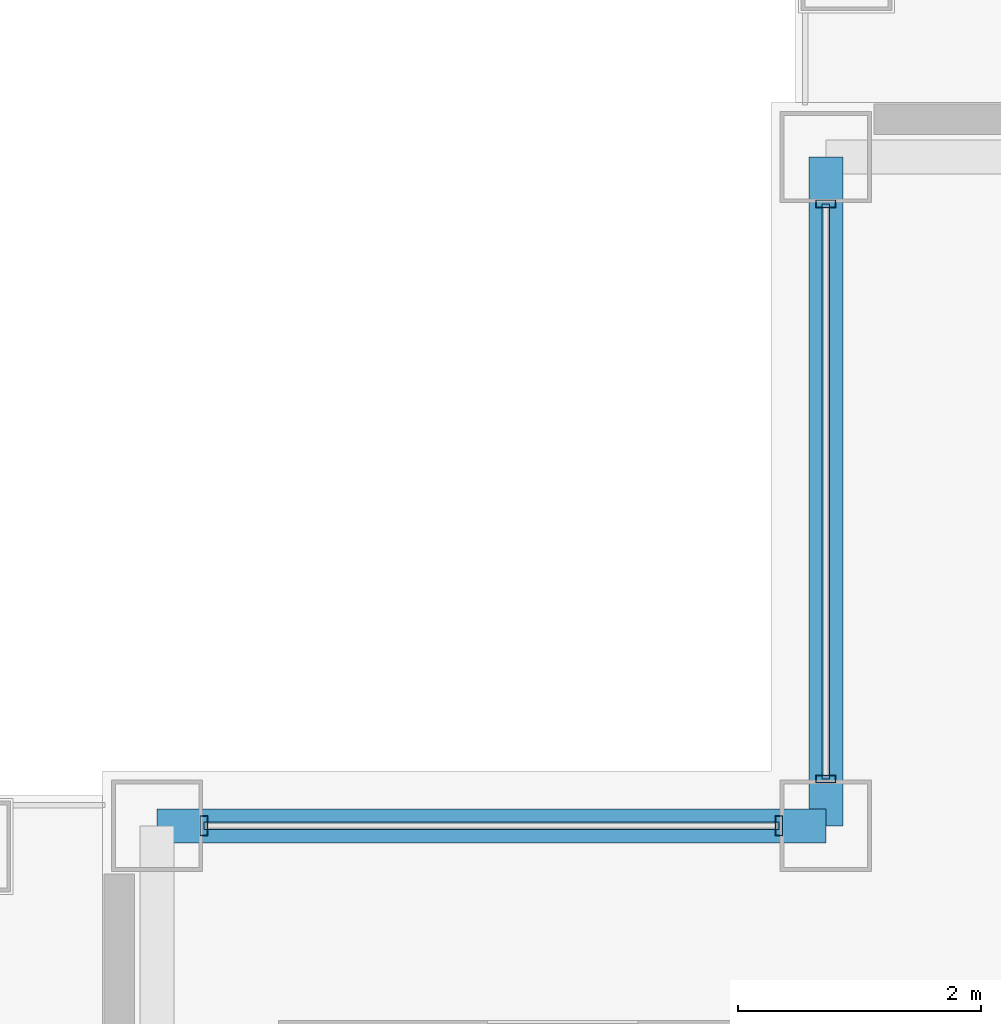
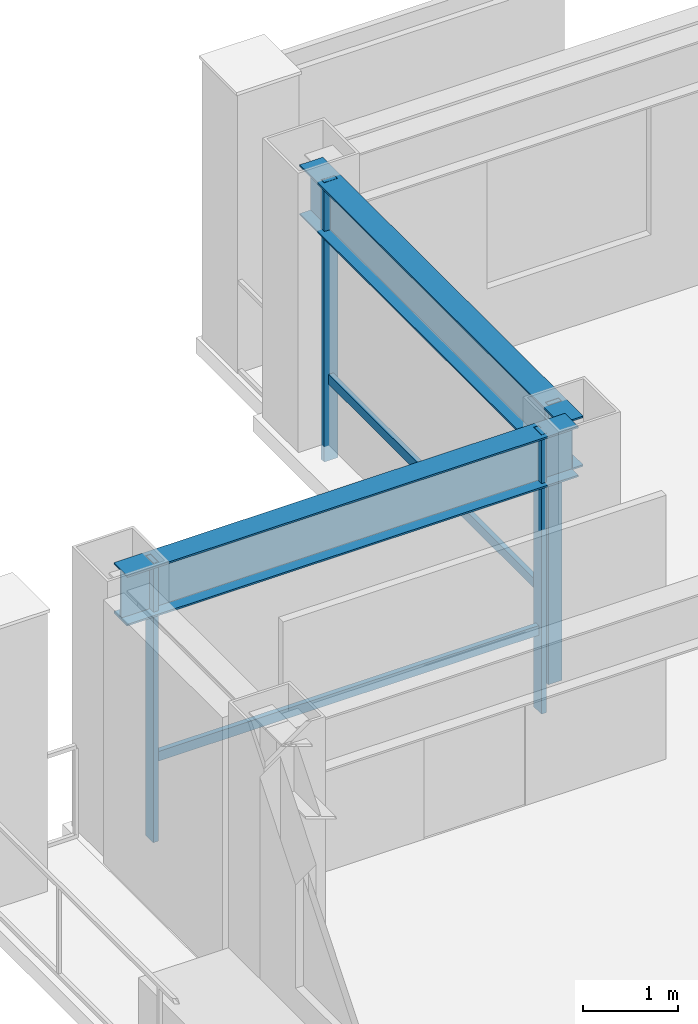
# One storey, part 18 of 28: 6 members, 2 beams, 2 elements without a shape of their own.
"""IFC4 building model written with IfcOpenShell, lengths in metres."""

import ifcopenshell
import ifcopenshell.guid

model = None  # the IFC model being written
_history = None  # IfcOwnerHistory: only IFC2X3 demands one
_inside = {}  # id of a spatial element -> (the spatial element, [elements in it])
_under = {}  # id of a project, library or spatial element -> (it, [spatial elements below it])
_declared = {}  # id of a project -> (the project, [libraries it declares])
_typed = {}  # id of a type object -> (the type object, [elements of that type])
_made_of = {}  # id of a material, layer set ... -> (it, [elements and type objects made of it])


def new_model(schema):
    """Start an empty IFC model of exactly this schema.

    Asked for "IFC4X3", IfcOpenShell would pick the latest addendum, in which some entities
    have other attributes; the version numbers below select the first issue.
    IFC2X3 requires an IfcOwnerHistory on every rooted entity: one is made here for all.
    """
    global model, _history
    if schema == "IFC4X3":
        model = ifcopenshell.file(schema_version=(4, 3, 0, 0))
    else:
        model = ifcopenshell.file(schema=schema)
    _inside.clear()
    _under.clear()
    _declared.clear()
    _typed.clear()
    _made_of.clear()
    _history = None
    if model.schema == "IFC2X3":
        org = make("IfcOrganization", Name="unknown")
        user = make(
            "IfcPersonAndOrganization",
            ThePerson=make("IfcPerson", FamilyName="unknown"),
            TheOrganization=org,
        )
        app = make(
            "IfcApplication",
            ApplicationDeveloper=org,
            Version="unknown",
            ApplicationFullName="unknown",
            ApplicationIdentifier="unknown",
        )
        _history = make(
            "IfcOwnerHistory",
            OwningUser=user,
            OwningApplication=app,
            ChangeAction="ADDED",
            CreationDate=0,
        )
    return model


def make(cls, **values):
    """One entity of the class cls with the attributes given. An attribute that is None is left unset."""
    return model.create_entity(
        cls, **{name: value for name, value in values.items() if value is not None}
    )


def rooted(cls, **values):
    """An entity with a GlobalId (a new one), such as an element, a storey or a relation."""
    return make(cls, GlobalId=ifcopenshell.guid.new(), OwnerHistory=_history, **values)


def si_unit(unit_type, name, prefix=None):
    """IfcSIUnit, for example si_unit("LENGTHUNIT", "METRE", prefix="MILLI")."""
    return make("IfcSIUnit", UnitType=unit_type, Prefix=prefix, Name=name)


def assignment(units):
    """IfcUnitAssignment: the units of a project."""
    return None if units is None else make("IfcUnitAssignment", Units=units)


def point(xyz):
    """IfcCartesianPoint."""
    return None if xyz is None else make("IfcCartesianPoint", Coordinates=xyz)


def direction(xyz):
    """IfcDirection."""
    return None if xyz is None else make("IfcDirection", DirectionRatios=xyz)


def frame(location, z_axis=None, x_axis=None):
    """IfcAxis2Placement3D, a coordinate frame: its origin and axes. An axis left out is left unset."""
    return make(
        "IfcAxis2Placement3D",
        Location=point(location),
        Axis=direction(z_axis),
        RefDirection=direction(x_axis),
    )


def frame_2d(location, x_axis=None):
    """IfcAxis2Placement2D, a coordinate frame in the plane: its origin and x axis."""
    return make(
        "IfcAxis2Placement2D", Location=point(location), RefDirection=direction(x_axis)
    )


def origin():
    """The frame at (0, 0, 0) with its axes left unset."""
    return frame((0.0, 0.0, 0.0))


def origin_2d():
    """The frame at (0, 0) in the plane with its x axis left unset."""
    return frame_2d((0.0, 0.0))


def place(relative_to, where):
    """IfcLocalPlacement: puts the frame where relative to a parent placement (None: the world)."""
    return make(
        "IfcLocalPlacement", PlacementRelTo=relative_to, RelativePlacement=where
    )


def context(
    kind, dimensions, precision=None, world=None, true_north=None, identifier=None
):
    """IfcGeometricRepresentationContext, for example the 3D "Model" context."""
    return make(
        "IfcGeometricRepresentationContext",
        ContextIdentifier=identifier,
        ContextType=kind,
        CoordinateSpaceDimension=dimensions,
        Precision=precision,
        WorldCoordinateSystem=world,
        TrueNorth=true_north,
    )


def subcontext(parent, identifier, kind, view, scale=None):
    """IfcGeometricRepresentationSubContext, for example "Body" below "Model"."""
    return make(
        "IfcGeometricRepresentationSubContext",
        ContextIdentifier=identifier,
        ContextType=kind,
        ParentContext=parent,
        TargetScale=scale,
        TargetView=view,
    )


def project(units=None, contexts=None):
    """IfcProject with its units and contexts."""
    return rooted(
        "IfcProject",
        Name="project",
        RepresentationContexts=contexts,
        UnitsInContext=assignment(units),
    )


def spatial(cls, under=None, at=None, **own):
    """A site, building, storey or space (cls), placed at a placement, below another one or the project."""
    s = rooted(cls, ObjectPlacement=at, **own)
    if under is not None:
        _under.setdefault(under.id(), (under, []))[1].append(s)
    return s


def profile(cls, at=None, kind="AREA", **sizes):
    """A parametric profile (cls). Its sizes go by their IFC names, for example OverallWidth=200.0."""
    return make(cls, ProfileType=kind, Position=at, **sizes)


def hollow_rectangle(**sizes):
    """IfcRectangleHollowProfileDef."""
    return profile("IfcRectangleHollowProfileDef", **sizes)


def i_section(**sizes):
    """IfcIShapeProfileDef."""
    return profile("IfcIShapeProfileDef", **sizes)


def extrude(swept, where, along, depth):
    """IfcExtrudedAreaSolid: the profile swept, set in the frame where, extruded along a direction by depth."""
    return make(
        "IfcExtrudedAreaSolid",
        SweptArea=swept,
        Position=where,
        ExtrudedDirection=direction(along),
        Depth=depth,
    )


def shape(context_of_items, identifier, shape_type, items):
    """IfcShapeRepresentation: the items that make up one representation, for example the "Body"."""
    return make(
        "IfcShapeRepresentation",
        ContextOfItems=context_of_items,
        RepresentationIdentifier=identifier,
        RepresentationType=shape_type,
        Items=items,
    )


def material(Name=None, Category=None):
    """IfcMaterial."""
    return make("IfcMaterial", Name=Name, Category=Category)


def layer(
    of_material, thickness, ventilated=None, Name=None, Category=None, Priority=None
):
    """IfcMaterialLayer: one layer of a wall or slab, of a material (None: an air gap)."""
    return make(
        "IfcMaterialLayer",
        Material=of_material,
        LayerThickness=thickness,
        IsVentilated=ventilated,
        Name=Name,
        Category=Category,
        Priority=Priority,
    )


def layer_set(layers, Name=None):
    """IfcMaterialLayerSet."""
    return make("IfcMaterialLayerSet", MaterialLayers=layers, LayerSetName=Name)


def material_profile(
    of_material, cross_section, Name=None, Category=None, Priority=None
):
    """IfcMaterialProfile: a cross section and its material."""
    return make(
        "IfcMaterialProfile",
        Name=Name,
        Material=of_material,
        Profile=cross_section,
        Priority=Priority,
        Category=Category,
    )


def profile_set(profiles, Name=None, composite=None):
    """IfcMaterialProfileSet."""
    return make(
        "IfcMaterialProfileSet",
        Name=Name,
        MaterialProfiles=profiles,
        CompositeProfile=composite,
    )


def made_of(thing, what):
    """Note that an element or type object is made of a material, layer set ...; save() writes the relation."""
    if what is not None:
        _made_of.setdefault(what.id(), (what, []))[1].append(thing)
    return thing


def type_object(cls, material=None, **own):
    """A type object (cls), such as IfcWallType, which elements share."""
    return made_of(rooted(cls, **own), material)


def element(
    cls,
    number,
    at=None,
    inside=None,
    cuts=None,
    type_object=None,
    material=None,
    context=None,
    identifier="Body",
    shape_type=None,
    held_by="IfcProductDefinitionShape",
    body=None,
    shapes=None,
    **own,
):
    """One element of the class cls, such as IfcWall. Its Tag is "e" and its number.

    at: its placement. inside: the storey or other place that contains it. cuts: it is an
    opening in that element (IfcRelVoidsElement). A single representation is given by context,
    identifier, shape_type and body (its items); several are given by shapes. held_by: the class
    of the entity that holds the representations. save() writes the other relations.
    """
    e = rooted(cls, Tag="e%d" % number, ObjectPlacement=at, **own)
    if body is not None:
        shapes = [shape(context, identifier, shape_type, body)]
    if shapes is not None:
        e.Representation = make(held_by, Representations=shapes)
    if inside is not None:
        _inside.setdefault(inside.id(), (inside, []))[1].append(e)
    if cuts is not None:
        rooted(
            "IfcRelVoidsElement", RelatingBuildingElement=cuts, RelatedOpeningElement=e
        )
    if type_object is not None:
        _typed.setdefault(type_object.id(), (type_object, []))[1].append(e)
    return made_of(e, material)


def aggregate(whole, parts):
    """IfcRelAggregates: a whole, such as a stair, and the parts it consists of."""
    return rooted("IfcRelAggregates", RelatingObject=whole, RelatedObjects=parts)


def save(model, path):
    """Write the relations noted so far, then the file.

    IfcRelAggregates (storeys below a building ...), IfcRelContainedInSpatialStructure (elements
    in a storey), IfcRelDefinesByType, IfcRelAssociatesMaterial and IfcRelDeclares: one each for
    every whole, place, type object, material and project.
    """
    for whole, parts in _under.values():
        aggregate(whole, parts)
    for where, things in _inside.values():
        rooted(
            "IfcRelContainedInSpatialStructure",
            RelatedElements=things,
            RelatingStructure=where,
        )
    for kind, things in _typed.values():
        rooted("IfcRelDefinesByType", RelatedObjects=things, RelatingType=kind)
    for what, things in _made_of.values():
        rooted("IfcRelAssociatesMaterial", RelatedObjects=things, RelatingMaterial=what)
    for by, libraries in _declared.values():
        rooted("IfcRelDeclares", RelatingContext=by, RelatedDefinitions=libraries)
    model.write(path)


model = new_model("IFC4")

# Units and contexts
model_context = context("Model", 3, precision=1e-05, world=origin(), true_north=direction((0.0, 1.0)))
body_context = subcontext(model_context, "Body", "Model", "MODEL_VIEW")
ifc_project = project(units=[si_unit("LENGTHUNIT", "METRE"), si_unit("AREAUNIT", "SQUARE_METRE"), si_unit("VOLUMEUNIT", "CUBIC_METRE"), si_unit("PLANEANGLEUNIT", "RADIAN"), si_unit("MASSUNIT", "GRAM", prefix="KILO")], contexts=[model_context])

# Site, building, storey
site_placement = place(None, origin())
site = spatial("IfcSite", under=ifc_project, at=site_placement, CompositionType="ELEMENT")
building_placement = place(site_placement, origin())
building = spatial("IfcBuilding", under=site, at=building_placement, Name="Brelmoor Portico Tower", CompositionType="ELEMENT")
storey_placement = place(building_placement, frame((0.0, 0.0, 165.89990234375)))
storey = spatial("IfcBuildingStorey", under=building, at=storey_placement, Name="L43", CompositionType="ELEMENT", Elevation=165.89990234375)

# Beams
ifc_material_1 = material(Name="Steel Q355B", Category="steel")
ifc_material_profile_1 = material_profile(ifc_material_1, i_section(OverallWidth=0.280029296875, OverallDepth=0.64990234375, WebThickness=0.012939453125, FlangeThickness=0.02197265625, at=origin_2d()), Name="HN 650x280x13x22")
ifc_profile_set_1 = profile_set([ifc_material_profile_1], Name="Steel Q355B")
beam_type = type_object("IfcBeamType", Name="BM-SP-650", PredefinedType="SPANDREL", material=ifc_profile_set_1)
for number, where, z_axis, x_axis, name in (
    (1, (-20.550048828125, 13.050048828125, 3.0751953125), (1.0, 0.0, 0.0), (0.0, 1.0, 0.0), "L43 Perimeter Spandrel Beam SP-06"),
    (2, (-15.050048828125, 13.050048828125, 3.0751953125), (0.0, 1.0, 0.0), (-1.0, 0.0, 0.0), "L43 Perimeter Spandrel Beam SP-15"),
):
    element("IfcBeam", number, at=place(storey_placement, frame(where, z_axis=z_axis, x_axis=x_axis)), inside=storey, type_object=beam_type, Name=name, PredefinedType="SPANDREL", context=body_context, shape_type="SweptSolid", body=[
        extrude(i_section(OverallWidth=0.280029296875, OverallDepth=0.64990234375, WebThickness=0.012939453125, FlangeThickness=0.02197265625, at=origin_2d()), origin(), (0.0, 0.0, 1.0), 5.5),
    ])

# Curtain wall, members
ifc_material_2 = material(Name="Anodised Aluminium Alloy 6063-T6", Category="aluminium")
ifc_layer = layer(ifc_material_2, 0.179931640625)
ifc_layer_set = layer_set([ifc_layer], Name="Anodised Aluminium Alloy 6063-T6")
curtain_wall_type = type_object("IfcCurtainWallType", Name="CW-NOTCH-CHAMFER", PredefinedType="NOTDEFINED", material=ifc_layer_set)
curtain_wall_1_placement = place(storey_placement, origin())
curtain_wall_1 = element("IfcCurtainWall", 3, at=curtain_wall_1_placement, inside=storey, type_object=curtain_wall_type, Name="L43 Curtain Wall CWN-L43-NWH", PredefinedType="NOTDEFINED")
ifc_material_profile_2 = material_profile(ifc_material_2, hollow_rectangle(XDim=0.06494140625, YDim=0.1650390625, WallThickness=0.00390625, at=origin_2d()), Name="ALU MULLION 65x165")
ifc_profile_set_2 = profile_set([ifc_material_profile_2], Name="Anodised Aluminium Alloy 6063-T6")
member_type_1 = type_object("IfcMemberType", Name="MB-CW-MULL-165", PredefinedType="MULLION", material=ifc_profile_set_2)
member_1_placement = place(storey_placement, frame((-20.1650390625, 13.050048828125, -0.199951171875), z_axis=(0.0, 0.0, 1.0), x_axis=(1.0, 0.0, 0.0)))
member_1 = element("IfcMember", 4, at=member_1_placement, type_object=member_type_1, Name="CWN-L43-NWH Mullion 00", PredefinedType="MULLION", context=body_context, shape_type="SweptSolid", body=[
    extrude(hollow_rectangle(XDim=0.06494140625, YDim=0.1650390625, WallThickness=0.00390625, at=origin_2d()), origin(), (0.0, 0.0, 1.0), 3.60009765625),
])
member_2_placement = place(storey_placement, frame((-15.43505859375, 13.050048828125, -0.199951171875), z_axis=(0.0, 0.0, 1.0), x_axis=(1.0, 0.0, 0.0)))
member_2 = element("IfcMember", 5, at=member_2_placement, type_object=member_type_1, Name="CWN-L43-NWH Mullion 01", PredefinedType="MULLION", context=body_context, shape_type="SweptSolid", body=[
    extrude(hollow_rectangle(XDim=0.06494140625, YDim=0.1650390625, WallThickness=0.00390625, at=origin_2d()), origin(), (0.0, 0.0, 1.0), 3.60009765625),
])

curtain_wall_2_placement = place(storey_placement, origin())
curtain_wall_2 = element("IfcCurtainWall", 6, at=curtain_wall_2_placement, inside=storey, type_object=curtain_wall_type, Name="L43 Curtain Wall CWN-L43-NWV", PredefinedType="NOTDEFINED")
member_3_placement = place(storey_placement, frame((-15.050048828125, 13.43505859375, -0.199951171875), z_axis=(0.0, 0.0, 1.0), x_axis=(0.0, 1.0, 0.0)))
member_3 = element("IfcMember", 7, at=member_3_placement, type_object=member_type_1, Name="CWN-L43-NWV Mullion 00", PredefinedType="MULLION", context=body_context, shape_type="SweptSolid", body=[
    extrude(hollow_rectangle(XDim=0.06494140625, YDim=0.1650390625, WallThickness=0.00390625, at=origin_2d()), origin(), (0.0, 0.0, 1.0), 3.60009765625),
])
member_4_placement = place(storey_placement, frame((-15.050048828125, 18.1650390625, -0.199951171875), z_axis=(0.0, 0.0, 1.0), x_axis=(0.0, 1.0, 0.0)))
member_4 = element("IfcMember", 8, at=member_4_placement, type_object=member_type_1, Name="CWN-L43-NWV Mullion 01", PredefinedType="MULLION", context=body_context, shape_type="SweptSolid", body=[
    extrude(hollow_rectangle(XDim=0.06494140625, YDim=0.1650390625, WallThickness=0.00390625, at=origin_2d()), origin(), (0.0, 0.0, 1.0), 3.60009765625),
])

# Member
ifc_material_profile_3 = material_profile(ifc_material_2, hollow_rectangle(XDim=0.06005859375, YDim=0.125, WallThickness=0.00341796875, at=origin_2d()), Name="ALU TRANSOM 60x125")
ifc_profile_set_3 = profile_set([ifc_material_profile_3], Name="Anodised Aluminium Alloy 6063-T6")
member_type_2 = type_object("IfcMemberType", Name="MB-CW-TRAN-125", PredefinedType="USERDEFINED", material=ifc_profile_set_3)
member_5_placement = place(storey_placement, frame((-20.1650390625, 13.050048828125, 0.85009765625), z_axis=(1.0, 0.0, 0.0), x_axis=(0.0, 1.0, 0.0)))
member_5 = element("IfcMember", 9, at=member_5_placement, type_object=member_type_2, Name="CWN-L43-NWH Transom 1-00", ObjectType="TRANSOM", PredefinedType="USERDEFINED", context=body_context, shape_type="SweptSolid", body=[
    extrude(hollow_rectangle(XDim=0.06005859375, YDim=0.125, WallThickness=0.00341796875, at=origin_2d()), origin(), (0.0, 0.0, 1.0), 4.72998046875),
])

aggregate(curtain_wall_1, [member_1, member_2, member_5])

member_6_placement = place(storey_placement, frame((-15.050048828125, 13.43505859375, 0.85009765625), z_axis=(0.0, 1.0, 0.0), x_axis=(-1.0, 0.0, 0.0)))
member_6 = element("IfcMember", 10, at=member_6_placement, type_object=member_type_2, Name="CWN-L43-NWV Transom 1-00", ObjectType="TRANSOM", PredefinedType="USERDEFINED", context=body_context, shape_type="SweptSolid", body=[
    extrude(hollow_rectangle(XDim=0.06005859375, YDim=0.125, WallThickness=0.00341796875, at=origin_2d()), origin(), (0.0, 0.0, 1.0), 4.72998046875),
])

aggregate(curtain_wall_2, [member_3, member_4, member_6])

save(model, "model.ifc")
